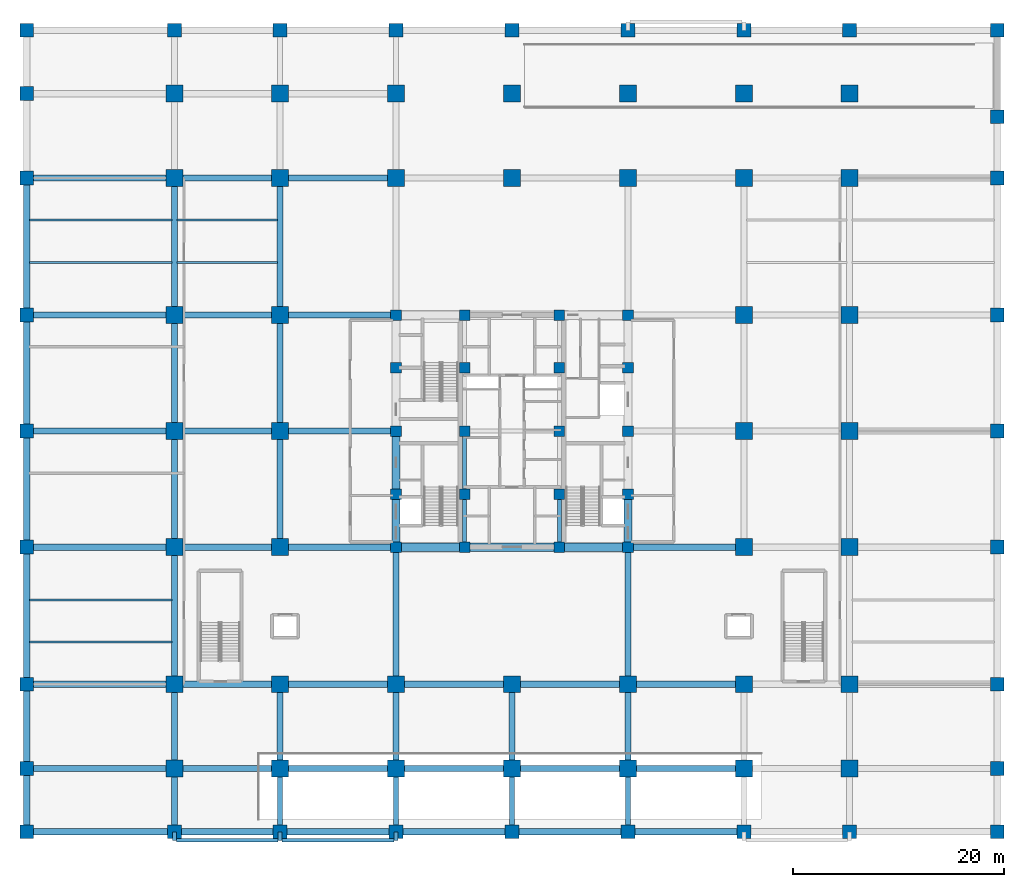
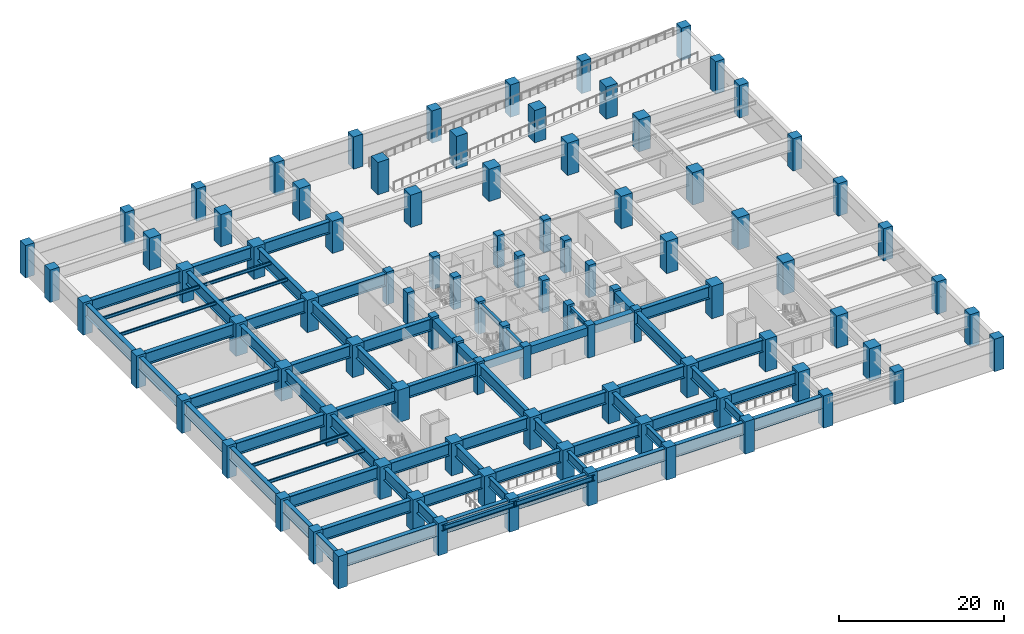
# One storey, part 1 of 13: 92 columns, 76 beams.
"""IFC4 building model written with IfcOpenShell, lengths in metres."""

from ifc_helpers import new_model, si_unit, direction, frame, origin, origin_2d, place, context, subcontext, project, spatial, rectangle, i_section, extrude, source, transform, mapped, material, material_profile, profile_set, type_object, element, save


model = new_model("IFC4")

# Units and contexts
model_context = context("Model", 3, precision=1e-05, world=origin(), true_north=direction((0.0, 1.0)))
body_context = subcontext(model_context, "Body", "Model", "MODEL_VIEW")
ifc_project = project(units=[si_unit("LENGTHUNIT", "METRE"), si_unit("AREAUNIT", "SQUARE_METRE"), si_unit("VOLUMEUNIT", "CUBIC_METRE"), si_unit("PLANEANGLEUNIT", "RADIAN"), si_unit("MASSUNIT", "GRAM", prefix="KILO")], contexts=[model_context])

# Site, building, storey
site_placement = place(None, origin())
site = spatial("IfcSite", under=ifc_project, at=site_placement, CompositionType="ELEMENT")
building_placement = place(site_placement, origin())
building = spatial("IfcBuilding", under=site, at=building_placement, Name="Khorayat Bourse Tower", CompositionType="ELEMENT")
storey_placement = place(building_placement, frame((0.0, 0.0, -4.800048828125)))
storey = spatial("IfcBuildingStorey", under=building, at=storey_placement, Name="B01", CompositionType="ELEMENT", Elevation=-4.800048828125)

# Columns
ifc_material_1 = material(Name="Concrete C72/90", Category="concrete")
ifc_material_profile_1 = material_profile(ifc_material_1, rectangle(XDim=1.300048828125, YDim=1.300048828125, at=origin_2d()), Name="RC 1300x1300")
ifc_profile_set_1 = profile_set([ifc_material_profile_1], Name="Concrete C72/90")
column_type_1 = type_object("IfcColumnType", Name="COL-MEGA-1300", PredefinedType="COLUMN", material=ifc_profile_set_1)
shared_shape_1 = source(origin(), body_context, "Body", "SweptSolid", [
    extrude(rectangle(XDim=1.300048828125, YDim=1.300048828125, at=origin_2d()), origin(), (0.0, 0.0, 1.0), 4.800048828125),
])
for number, where, z_axis, x_axis, name in (
    (1, (-46.0, -38.0, 0.0), (0.0, 0.0, 1.0), (1.0, 0.0, 0.0), "B01 Column 001"),
    (2, (-46.0, -24.0, 0.0), (0.0, 0.0, 1.0), (1.0, 0.0, 0.0), "B01 Column 002"),
    (3, (-46.0, -11.0, 0.0), (0.0, 0.0, 1.0), (1.0, 0.0, 0.0), "B01 Column 003"),
    (4, (-46.0, 0.0, 0.0), (0.0, 0.0, 1.0), (1.0, 0.0, 0.0), "B01 Column 004"),
    (5, (-46.0, 11.0, 0.0), (0.0, 0.0, 1.0), (1.0, 0.0, 0.0), "B01 Column 005"),
    (6, (-46.0, 24.0, 0.0), (0.0, 0.0, 1.0), (1.0, 0.0, 0.0), "B01 Column 006"),
    (7, (-46.0, 38.0, 0.0), (0.0, 0.0, 1.0), (1.0, 0.0, 0.0), "B01 Column 007"),
    (8, (-32.0, -38.0, 0.0), (0.0, 0.0, 1.0), (1.0, 0.0, 0.0), "B01 Column 008"),
    (9, (-32.0, 38.0, 0.0), (0.0, 0.0, 1.0), (1.0, 0.0, 0.0), "B01 Column 016"),
    (10, (-22.0, -38.0, 0.0), (0.0, 0.0, 1.0), (1.0, 0.0, 0.0), "B01 Column 017"),
    (11, (-22.0, 38.0, 0.0), (0.0, 0.0, 1.0), (1.0, 0.0, 0.0), "B01 Column 025"),
    (12, (-11.0, -38.0, 0.0), (0.0, 0.0, 1.0), (1.0, 0.0, 0.0), "B01 Column 026"),
    (13, (-11.0, 38.0, 0.0), (0.0, 0.0, 1.0), (1.0, 0.0, 0.0), "B01 Column 036"),
    (14, (0.0, -38.0, 0.0), (0.0, 0.0, 1.0), (1.0, 0.0, 0.0), "B01 Column 042"),
    (15, (0.0, 38.0, 0.0), (0.0, 0.0, 1.0), (1.0, 0.0, 0.0), "B01 Column 047"),
    (16, (11.0, -38.0, 0.0), (0.0, 0.0, 1.0), (1.0, 0.0, 0.0), "B01 Column 053"),
    (17, (11.0, 38.0, 0.0), (0.0, 0.0, 1.0), (1.0, 0.0, 0.0), "B01 Column 063"),
    (18, (22.0, -38.0, 0.0), (0.0, 0.0, 1.0), (1.0, 0.0, 0.0), "B01 Column 064"),
    (19, (22.0, 38.0, 0.0), (0.0, 0.0, 1.0), (1.0, 0.0, 0.0), "B01 Column 072"),
    (20, (32.0, -38.0, 0.0), (0.0, 0.0, 1.0), (1.0, 0.0, 0.0), "B01 Column 073"),
    (21, (32.0, 38.0, 0.0), (0.0, 0.0, 1.0), (1.0, 0.0, 0.0), "B01 Column 081"),
    (22, (46.0, -38.0, 0.0), (0.0, 0.0, 1.0), (1.0, 0.0, 0.0), "B01 Column 082"),
    (23, (46.0, -24.0, 0.0), (0.0, 0.0, 1.0), (1.0, 0.0, 0.0), "B01 Column 083"),
    (24, (46.0, -11.0, 0.0), (0.0, 0.0, 1.0), (1.0, 0.0, 0.0), "B01 Column 084"),
    (25, (46.0, 0.0, 0.0), (0.0, 0.0, 1.0), (1.0, 0.0, 0.0), "B01 Column 085"),
    (26, (46.0, 11.0, 0.0), (0.0, 0.0, 1.0), (1.0, 0.0, 0.0), "B01 Column 086"),
    (27, (46.0, 24.0, 0.0), (0.0, 0.0, 1.0), (1.0, 0.0, 0.0), "B01 Column 087"),
    (28, (46.0, 38.0, 0.0), (0.0, 0.0, 1.0), (1.0, 0.0, 0.0), "B01 Column 088"),
    (29, (-46.0, -32.0, 0.0), (0.0, 0.0, 1.0), (1.0, 0.0, 0.0), "B01 Perimeter Step Column 1"),
    (30, (-46.0, 32.0, 0.0), (0.0, 0.0, 1.0), (1.0, 0.0, 0.0), "B01 Perimeter Step Column 2"),
    (31, (46.0, -32.0, 0.0), (0.0, 0.0, 1.0), (1.0, 0.0, 0.0), "B01 Perimeter Step Column 3"),
    (32, (46.0, 29.800048828125, 0.0), (0.0, 0.0, 1.0), (1.0, 0.0, 0.0), "B01 Perimeter Step Column 4"),
):
    element("IfcColumn", number, at=place(storey_placement, frame(where, z_axis=z_axis, x_axis=x_axis)), inside=storey, type_object=column_type_1, Name=name, PredefinedType="COLUMN", context=body_context, shape_type="MappedRepresentation", body=[
        mapped(shared_shape_1, transform((0.0, 0.0, 0.0), scale=1.0)),
    ])
ifc_material_profile_2 = material_profile(ifc_material_1, rectangle(XDim=1.60009765625, YDim=1.60009765625, at=origin_2d()), Name="RC 1600x1600")
ifc_profile_set_2 = profile_set([ifc_material_profile_2], Name="Concrete C72/90")
column_type_2 = type_object("IfcColumnType", Name="COL-MEGA-1600", PredefinedType="COLUMN", material=ifc_profile_set_2)
shared_shape_2 = source(origin(), body_context, "Body", "SweptSolid", [
    extrude(rectangle(XDim=1.60009765625, YDim=1.60009765625, at=origin_2d()), origin(), (0.0, 0.0, 1.0), 4.800048828125),
])
for number, where, z_axis, x_axis, name in (
    (33, (-32.0, -32.0, 0.0), (0.0, 0.0, 1.0), (1.0, 0.0, 0.0), "B01 Column 009"),
    (34, (-32.0, -24.0, 0.0), (0.0, 0.0, 1.0), (1.0, 0.0, 0.0), "B01 Column 010"),
    (35, (-32.0, -11.0, 0.0), (0.0, 0.0, 1.0), (1.0, 0.0, 0.0), "B01 Column 011"),
    (36, (-32.0, 0.0, 0.0), (0.0, 0.0, 1.0), (1.0, 0.0, 0.0), "B01 Column 012"),
    (37, (-32.0, 11.0, 0.0), (0.0, 0.0, 1.0), (1.0, 0.0, 0.0), "B01 Column 013"),
    (38, (-32.0, 24.0, 0.0), (0.0, 0.0, 1.0), (1.0, 0.0, 0.0), "B01 Column 014"),
    (39, (-32.0, 32.0, 0.0), (0.0, 0.0, 1.0), (1.0, 0.0, 0.0), "B01 Column 015"),
    (40, (-22.0, -32.0, 0.0), (0.0, 0.0, 1.0), (1.0, 0.0, 0.0), "B01 Column 018"),
    (41, (-22.0, -24.0, 0.0), (0.0, 0.0, 1.0), (1.0, 0.0, 0.0), "B01 Column 019"),
    (42, (-22.0, -11.0, 0.0), (0.0, 0.0, 1.0), (1.0, 0.0, 0.0), "B01 Column 020"),
    (43, (-22.0, 0.0, 0.0), (0.0, 0.0, 1.0), (1.0, 0.0, 0.0), "B01 Column 021"),
    (44, (-22.0, 11.0, 0.0), (0.0, 0.0, 1.0), (1.0, 0.0, 0.0), "B01 Column 022"),
    (45, (-22.0, 24.0, 0.0), (0.0, 0.0, 1.0), (1.0, 0.0, 0.0), "B01 Column 023"),
    (46, (-22.0, 32.0, 0.0), (0.0, 0.0, 1.0), (1.0, 0.0, 0.0), "B01 Column 024"),
    (47, (-11.0, -32.0, 0.0), (0.0, 0.0, 1.0), (1.0, 0.0, 0.0), "B01 Column 027"),
    (48, (-11.0, -24.0, 0.0), (0.0, 0.0, 1.0), (1.0, 0.0, 0.0), "B01 Column 028"),
    (49, (-11.0, 24.0, 0.0), (0.0, 0.0, 1.0), (1.0, 0.0, 0.0), "B01 Column 034"),
    (50, (-11.0, 32.0, 0.0), (0.0, 0.0, 1.0), (1.0, 0.0, 0.0), "B01 Column 035"),
    (51, (0.0, -32.0, 0.0), (0.0, 0.0, 1.0), (1.0, 0.0, 0.0), "B01 Column 043"),
    (52, (0.0, -24.0, 0.0), (0.0, 0.0, 1.0), (1.0, 0.0, 0.0), "B01 Column 044"),
    (53, (0.0, 24.0, 0.0), (0.0, 0.0, 1.0), (1.0, 0.0, 0.0), "B01 Column 045"),
    (54, (0.0, 32.0, 0.0), (0.0, 0.0, 1.0), (1.0, 0.0, 0.0), "B01 Column 046"),
    (55, (11.0, -32.0, 0.0), (0.0, 0.0, 1.0), (1.0, 0.0, 0.0), "B01 Column 054"),
    (56, (11.0, -24.0, 0.0), (0.0, 0.0, 1.0), (1.0, 0.0, 0.0), "B01 Column 055"),
    (57, (11.0, 24.0, 0.0), (0.0, 0.0, 1.0), (1.0, 0.0, 0.0), "B01 Column 061"),
    (58, (11.0, 32.0, 0.0), (0.0, 0.0, 1.0), (1.0, 0.0, 0.0), "B01 Column 062"),
    (59, (22.0, -32.0, 0.0), (0.0, 0.0, 1.0), (1.0, 0.0, 0.0), "B01 Column 065"),
    (60, (22.0, -24.0, 0.0), (0.0, 0.0, 1.0), (1.0, 0.0, 0.0), "B01 Column 066"),
    (61, (22.0, -11.0, 0.0), (0.0, 0.0, 1.0), (1.0, 0.0, 0.0), "B01 Column 067"),
    (62, (22.0, 0.0, 0.0), (0.0, 0.0, 1.0), (1.0, 0.0, 0.0), "B01 Column 068"),
    (63, (22.0, 11.0, 0.0), (0.0, 0.0, 1.0), (1.0, 0.0, 0.0), "B01 Column 069"),
    (64, (22.0, 24.0, 0.0), (0.0, 0.0, 1.0), (1.0, 0.0, 0.0), "B01 Column 070"),
    (65, (22.0, 32.0, 0.0), (0.0, 0.0, 1.0), (1.0, 0.0, 0.0), "B01 Column 071"),
    (66, (32.0, -32.0, 0.0), (0.0, 0.0, 1.0), (1.0, 0.0, 0.0), "B01 Column 074"),
    (67, (32.0, -24.0, 0.0), (0.0, 0.0, 1.0), (1.0, 0.0, 0.0), "B01 Column 075"),
    (68, (32.0, -11.0, 0.0), (0.0, 0.0, 1.0), (1.0, 0.0, 0.0), "B01 Column 076"),
    (69, (32.0, 0.0, 0.0), (0.0, 0.0, 1.0), (1.0, 0.0, 0.0), "B01 Column 077"),
    (70, (32.0, 11.0, 0.0), (0.0, 0.0, 1.0), (1.0, 0.0, 0.0), "B01 Column 078"),
    (71, (32.0, 24.0, 0.0), (0.0, 0.0, 1.0), (1.0, 0.0, 0.0), "B01 Column 079"),
    (72, (32.0, 32.0, 0.0), (0.0, 0.0, 1.0), (1.0, 0.0, 0.0), "B01 Column 080"),
):
    element("IfcColumn", number, at=place(storey_placement, frame(where, z_axis=z_axis, x_axis=x_axis)), inside=storey, type_object=column_type_2, Name=name, PredefinedType="COLUMN", context=body_context, shape_type="MappedRepresentation", body=[
        mapped(shared_shape_2, transform((0.0, 0.0, 0.0), scale=1.0)),
    ])
ifc_material_profile_3 = material_profile(ifc_material_1, rectangle(XDim=1.0, YDim=1.0, at=origin_2d()), Name="RC 1000x1000")
ifc_profile_set_3 = profile_set([ifc_material_profile_3], Name="Concrete C72/90")
column_type_3 = type_object("IfcColumnType", Name="COL-CORE-1000", PredefinedType="COLUMN", material=ifc_profile_set_3)
shared_shape_3 = source(origin(), body_context, "Body", "SweptSolid", [
    extrude(rectangle(XDim=1.0, YDim=1.0, at=origin_2d()), origin(), (0.0, 0.0, 1.0), 4.800048828125),
])
for number, where, z_axis, x_axis, name in (
    (73, (-11.0, -11.0, 0.0), (0.0, 0.0, 1.0), (1.0, 0.0, 0.0), "B01 Column 029"),
    (74, (-11.0, -6.0, 0.0), (0.0, 0.0, 1.0), (1.0, 0.0, 0.0), "B01 Column 030"),
    (75, (-11.0, 0.0, 0.0), (0.0, 0.0, 1.0), (1.0, 0.0, 0.0), "B01 Column 031"),
    (76, (-11.0, 6.0, 0.0), (0.0, 0.0, 1.0), (1.0, 0.0, 0.0), "B01 Column 032"),
    (77, (-11.0, 11.0, 0.0), (0.0, 0.0, 1.0), (1.0, 0.0, 0.0), "B01 Column 033"),
    (78, (-4.5, -11.0, 0.0), (0.0, 0.0, 1.0), (1.0, 0.0, 0.0), "B01 Column 037"),
    (79, (-4.5, -6.0, 0.0), (0.0, 0.0, 1.0), (1.0, 0.0, 0.0), "B01 Column 038"),
    (80, (-4.5, 0.0, 0.0), (0.0, 0.0, 1.0), (1.0, 0.0, 0.0), "B01 Column 039"),
    (81, (-4.5, 6.0, 0.0), (0.0, 0.0, 1.0), (1.0, 0.0, 0.0), "B01 Column 040"),
    (82, (-4.5, 11.0, 0.0), (0.0, 0.0, 1.0), (1.0, 0.0, 0.0), "B01 Column 041"),
    (83, (4.5, -11.0, 0.0), (0.0, 0.0, 1.0), (1.0, 0.0, 0.0), "B01 Column 048"),
    (84, (4.5, -6.0, 0.0), (0.0, 0.0, 1.0), (1.0, 0.0, 0.0), "B01 Column 049"),
    (85, (4.5, 0.0, 0.0), (0.0, 0.0, 1.0), (1.0, 0.0, 0.0), "B01 Column 050"),
    (86, (4.5, 6.0, 0.0), (0.0, 0.0, 1.0), (1.0, 0.0, 0.0), "B01 Column 051"),
    (87, (4.5, 11.0, 0.0), (0.0, 0.0, 1.0), (1.0, 0.0, 0.0), "B01 Column 052"),
    (88, (11.0, -11.0, 0.0), (0.0, 0.0, 1.0), (1.0, 0.0, 0.0), "B01 Column 056"),
    (89, (11.0, -6.0, 0.0), (0.0, 0.0, 1.0), (1.0, 0.0, 0.0), "B01 Column 057"),
    (90, (11.0, 0.0, 0.0), (0.0, 0.0, 1.0), (1.0, 0.0, 0.0), "B01 Column 058"),
    (91, (11.0, 6.0, 0.0), (0.0, 0.0, 1.0), (1.0, 0.0, 0.0), "B01 Column 059"),
    (92, (11.0, 11.0, 0.0), (0.0, 0.0, 1.0), (1.0, 0.0, 0.0), "B01 Column 060"),
):
    element("IfcColumn", number, at=place(storey_placement, frame(where, z_axis=z_axis, x_axis=x_axis)), inside=storey, type_object=column_type_3, Name=name, PredefinedType="COLUMN", context=body_context, shape_type="MappedRepresentation", body=[
        mapped(shared_shape_3, transform((0.0, 0.0, 0.0), scale=1.0)),
    ])

# Beams
ifc_material_profile_4 = material_profile(ifc_material_1, rectangle(XDim=0.800048828125, YDim=1.199951171875, at=origin_2d()), Name="RC 800x1200")
ifc_profile_set_4 = profile_set([ifc_material_profile_4], Name="Concrete C72/90")
beam_type_1 = type_object("IfcBeamType", Name="BM-COUP-1200", PredefinedType="BEAM", material=ifc_profile_set_4)
shared_shape_4 = source(origin(), body_context, "Body", "SweptSolid", [
    extrude(rectangle(XDim=0.800048828125, YDim=1.199951171875, at=origin_2d()), origin(), (0.0, 0.0, 1.0), 5.0),
])
for number, where, z_axis, x_axis, name in (
    (93, (-11.0, -11.0, 3.880126953125), (0.0, 1.0, 0.0), (-1.0, 0.0, 0.0), "B01 BM-COUP-1200 BM-B01-CRX-01"),
    (94, (11.0, -11.0, 3.880126953125), (0.0, 1.0, 0.0), (-1.0, 0.0, 0.0), "B01 BM-COUP-1200 BM-B01-CRX-13"),
):
    element("IfcBeam", number, at=place(storey_placement, frame(where, z_axis=z_axis, x_axis=x_axis)), inside=storey, type_object=beam_type_1, Name=name, PredefinedType="BEAM", context=body_context, shape_type="MappedRepresentation", body=[
        mapped(shared_shape_4, transform((0.0, 0.0, 0.0), scale=1.0)),
    ])
shared_shape_5 = source(origin(), body_context, "Body", "SweptSolid", [
    extrude(rectangle(XDim=0.800048828125, YDim=1.199951171875, at=origin_2d()), origin(), (0.0, 0.0, 1.0), 6.0),
])
beam_1_placement = place(storey_placement, frame((-11.0, -6.0, 3.880126953125), z_axis=(0.0, 1.0, 0.0), x_axis=(-1.0, 0.0, 0.0)))
element("IfcBeam", 95, at=beam_1_placement, inside=storey, type_object=beam_type_1, Name="B01 BM-COUP-1200 BM-B01-CRX-02", PredefinedType="BEAM", context=body_context, shape_type="MappedRepresentation", body=[
    mapped(shared_shape_5, transform((0.0, 0.0, 0.0), scale=1.0)),
])
ifc_material_2 = material(Name="Steel ASTM A992 Grade 50", Category="steel")
ifc_material_profile_5 = material_profile(ifc_material_2, i_section(OverallWidth=0.35498046875, OverallDepth=0.695068359375, WebThickness=0.015380859375, FlangeThickness=0.02490234375, FilletRadius=0.01806640625, at=origin_2d()), Name="W690X217")
ifc_profile_set_5 = profile_set([ifc_material_profile_5], Name="Steel ASTM A992 Grade 50")
beam_type_2 = type_object("IfcBeamType", Name="BM-GIRD-690", PredefinedType="BEAM", material=ifc_profile_set_5)
shared_shape_6 = source(origin(), body_context, "Body", "SweptSolid", [
    extrude(i_section(OverallWidth=0.35498046875, OverallDepth=0.695068359375, WebThickness=0.015380859375, FlangeThickness=0.02490234375, FilletRadius=0.01806640625, at=origin_2d()), origin(), (0.0, 0.0, 1.0), 5.0),
])
for number, where, z_axis, x_axis, name in (
    (96, (-4.5, -11.0, 4.132568359375), (0.0, 1.0, 0.0), (-1.0, 0.0, 0.0), "B01 BM-GIRD-690 BM-B01-CRX-05"),
    (97, (4.5, -11.0, 4.132568359375), (0.0, 1.0, 0.0), (-1.0, 0.0, 0.0), "B01 BM-GIRD-690 BM-B01-CRX-09"),
):
    element("IfcBeam", number, at=place(storey_placement, frame(where, z_axis=z_axis, x_axis=x_axis)), inside=storey, type_object=beam_type_2, Name=name, PredefinedType="BEAM", context=body_context, shape_type="MappedRepresentation", body=[
        mapped(shared_shape_6, transform((0.0, 0.0, 0.0), scale=1.0)),
    ])
shared_shape_7 = source(origin(), body_context, "Body", "SweptSolid", [
    extrude(i_section(OverallWidth=0.35498046875, OverallDepth=0.695068359375, WebThickness=0.015380859375, FlangeThickness=0.02490234375, FilletRadius=0.01806640625, at=origin_2d()), origin(), (0.0, 0.0, 1.0), 6.0),
])
beam_2_placement = place(storey_placement, frame((-4.5, -6.0, 4.132568359375), z_axis=(0.0, 1.0, 0.0), x_axis=(-1.0, 0.0, 0.0)))
element("IfcBeam", 98, at=beam_2_placement, inside=storey, type_object=beam_type_2, Name="B01 BM-GIRD-690 BM-B01-CRX-06", PredefinedType="BEAM", context=body_context, shape_type="MappedRepresentation", body=[
    mapped(shared_shape_7, transform((0.0, 0.0, 0.0), scale=1.0)),
])
shared_shape_8 = source(origin(), body_context, "Body", "SweptSolid", [
    extrude(rectangle(XDim=0.800048828125, YDim=1.199951171875, at=origin_2d()), origin(), (0.0, 0.0, 1.0), 6.5),
])
for number, where, z_axis, x_axis, name in (
    (99, (-11.0, -11.0, 3.880126953125), (1.0, 0.0, 0.0), (0.0, 1.0, 0.0), "B01 BM-COUP-1200 BM-B01-CRY-17"),
    (100, (4.5, -11.0, 3.880126953125), (1.0, 0.0, 0.0), (0.0, 1.0, 0.0), "B01 BM-COUP-1200 BM-B01-CRY-19"),
):
    element("IfcBeam", number, at=place(storey_placement, frame(where, z_axis=z_axis, x_axis=x_axis)), inside=storey, type_object=beam_type_1, Name=name, PredefinedType="BEAM", context=body_context, shape_type="MappedRepresentation", body=[
        mapped(shared_shape_8, transform((0.0, 0.0, 0.0), scale=1.0)),
    ])
shared_shape_9 = source(origin(), body_context, "Body", "SweptSolid", [
    extrude(rectangle(XDim=0.800048828125, YDim=1.199951171875, at=origin_2d()), origin(), (0.0, 0.0, 1.0), 9.0),
])
beam_3_placement = place(storey_placement, frame((-4.5, -11.0, 3.880126953125), z_axis=(1.0, 0.0, 0.0), x_axis=(0.0, 1.0, 0.0)))
element("IfcBeam", 101, at=beam_3_placement, inside=storey, type_object=beam_type_1, Name="B01 BM-COUP-1200 BM-B01-CRY-18", PredefinedType="BEAM", context=body_context, shape_type="MappedRepresentation", body=[
    mapped(shared_shape_9, transform((0.0, 0.0, 0.0), scale=1.0)),
])
ifc_material_3 = material(Name="Steel EN 10025-4 S460M", Category="steel")
ifc_material_profile_6 = material_profile(ifc_material_3, i_section(OverallWidth=0.60009765625, OverallDepth=1.800048828125, WebThickness=0.031982421875, FlangeThickness=0.06005859375, at=origin_2d()), Name="PG 1800x600x32x60")
ifc_profile_set_6 = profile_set([ifc_material_profile_6], Name="Steel EN 10025-4 S460M")
beam_type_3 = type_object("IfcBeamType", Name="BM-TR-1800", PredefinedType="BEAM", material=ifc_profile_set_6)
shared_shape_10 = source(origin(), body_context, "Body", "SweptSolid", [
    extrude(i_section(OverallWidth=0.60009765625, OverallDepth=1.800048828125, WebThickness=0.031982421875, FlangeThickness=0.06005859375, at=origin_2d()), origin(), (0.0, 0.0, 1.0), 14.0),
])
for number, where, z_axis, x_axis, name in (
    (102, (-46.0, -38.0, 3.580078125), (1.0, 0.0, 0.0), (0.0, 1.0, 0.0), "B01 BM-TR-1800 BM-B01-PGX-024"),
    (103, (-46.0, -32.0, 3.580078125), (1.0, 0.0, 0.0), (0.0, 1.0, 0.0), "B01 BM-TR-1800 BM-B01-PGX-032"),
    (104, (-46.0, -24.0, 3.580078125), (1.0, 0.0, 0.0), (0.0, 1.0, 0.0), "B01 BM-TR-1800 BM-B01-PGX-040"),
    (105, (-46.0, -11.0, 3.580078125), (1.0, 0.0, 0.0), (0.0, 1.0, 0.0), "B01 BM-TR-1800 BM-B01-PGX-048"),
    (106, (-46.0, 0.0, 3.580078125), (1.0, 0.0, 0.0), (0.0, 1.0, 0.0), "B01 BM-TR-1800 BM-B01-PGX-057"),
    (107, (-46.0, 11.0, 3.580078125), (1.0, 0.0, 0.0), (0.0, 1.0, 0.0), "B01 BM-TR-1800 BM-B01-PGX-063"),
    (108, (-46.0, 24.0, 3.580078125), (1.0, 0.0, 0.0), (0.0, 1.0, 0.0), "B01 BM-TR-1800 BM-B01-PGX-072"),
):
    element("IfcBeam", number, at=place(storey_placement, frame(where, z_axis=z_axis, x_axis=x_axis)), inside=storey, type_object=beam_type_3, Name=name, PredefinedType="BEAM", context=body_context, shape_type="MappedRepresentation", body=[
        mapped(shared_shape_10, transform((0.0, 0.0, 0.0), scale=1.0)),
    ])
shared_shape_11 = source(origin(), body_context, "Body", "SweptSolid", [
    extrude(i_section(OverallWidth=0.60009765625, OverallDepth=1.800048828125, WebThickness=0.031982421875, FlangeThickness=0.06005859375, at=origin_2d()), origin(), (0.0, 0.0, 1.0), 10.0),
])
for number, where, z_axis, x_axis, name in (
    (109, (-32.0, -38.0, 3.580078125), (1.0, 0.0, 0.0), (0.0, 1.0, 0.0), "B01 BM-TR-1800 BM-B01-PGX-025"),
    (110, (-32.0, -32.0, 3.580078125), (1.0, 0.0, 0.0), (0.0, 1.0, 0.0), "B01 BM-TR-1800 BM-B01-PGX-033"),
    (111, (-32.0, -24.0, 3.580078125), (1.0, 0.0, 0.0), (0.0, 1.0, 0.0), "B01 BM-TR-1800 BM-B01-PGX-041"),
    (112, (-32.0, -11.0, 3.580078125), (1.0, 0.0, 0.0), (0.0, 1.0, 0.0), "B01 BM-TR-1800 BM-B01-PGX-049"),
    (113, (-32.0, 0.0, 3.580078125), (1.0, 0.0, 0.0), (0.0, 1.0, 0.0), "B01 BM-TR-1800 BM-B01-PGX-058"),
    (114, (-32.0, 11.0, 3.580078125), (1.0, 0.0, 0.0), (0.0, 1.0, 0.0), "B01 BM-TR-1800 BM-B01-PGX-064"),
    (115, (-32.0, 24.0, 3.580078125), (1.0, 0.0, 0.0), (0.0, 1.0, 0.0), "B01 BM-TR-1800 BM-B01-PGX-073"),
):
    element("IfcBeam", number, at=place(storey_placement, frame(where, z_axis=z_axis, x_axis=x_axis)), inside=storey, type_object=beam_type_3, Name=name, PredefinedType="BEAM", context=body_context, shape_type="MappedRepresentation", body=[
        mapped(shared_shape_11, transform((0.0, 0.0, 0.0), scale=1.0)),
    ])
shared_shape_12 = source(origin(), body_context, "Body", "SweptSolid", [
    extrude(i_section(OverallWidth=0.60009765625, OverallDepth=1.800048828125, WebThickness=0.031982421875, FlangeThickness=0.06005859375, at=origin_2d()), origin(), (0.0, 0.0, 1.0), 11.0),
])
for number, where, z_axis, x_axis, name in (
    (116, (-22.0, -38.0, 3.580078125), (1.0, 0.0, 0.0), (0.0, 1.0, 0.0), "B01 BM-TR-1800 BM-B01-PGX-026"),
    (117, (-11.0, -38.0, 3.580078125), (1.0, 0.0, 0.0), (0.0, 1.0, 0.0), "B01 BM-TR-1800 BM-B01-PGX-027"),
    (118, (0.0, -38.0, 3.580078125), (1.0, 0.0, 0.0), (0.0, 1.0, 0.0), "B01 BM-TR-1800 BM-B01-PGX-028"),
    (119, (11.0, -38.0, 3.580078125), (1.0, 0.0, 0.0), (0.0, 1.0, 0.0), "B01 BM-TR-1800 BM-B01-PGX-029"),
    (120, (-22.0, -32.0, 3.580078125), (1.0, 0.0, 0.0), (0.0, 1.0, 0.0), "B01 BM-TR-1800 BM-B01-PGX-034"),
    (121, (-11.0, -32.0, 3.580078125), (1.0, 0.0, 0.0), (0.0, 1.0, 0.0), "B01 BM-TR-1800 BM-B01-PGX-035"),
    (122, (0.0, -32.0, 3.580078125), (1.0, 0.0, 0.0), (0.0, 1.0, 0.0), "B01 BM-TR-1800 BM-B01-PGX-036"),
    (123, (11.0, -32.0, 3.580078125), (1.0, 0.0, 0.0), (0.0, 1.0, 0.0), "B01 BM-TR-1800 BM-B01-PGX-037"),
    (124, (-22.0, -24.0, 3.580078125), (1.0, 0.0, 0.0), (0.0, 1.0, 0.0), "B01 BM-TR-1800 BM-B01-PGX-042"),
    (125, (-11.0, -24.0, 3.580078125), (1.0, 0.0, 0.0), (0.0, 1.0, 0.0), "B01 BM-TR-1800 BM-B01-PGX-043"),
    (126, (0.0, -24.0, 3.580078125), (1.0, 0.0, 0.0), (0.0, 1.0, 0.0), "B01 BM-TR-1800 BM-B01-PGX-044"),
    (127, (11.0, -24.0, 3.580078125), (1.0, 0.0, 0.0), (0.0, 1.0, 0.0), "B01 BM-TR-1800 BM-B01-PGX-045"),
    (128, (-22.0, -11.0, 3.580078125), (1.0, 0.0, 0.0), (0.0, 1.0, 0.0), "B01 BM-TR-1800 BM-B01-PGX-050"),
    (129, (11.0, -11.0, 3.580078125), (1.0, 0.0, 0.0), (0.0, 1.0, 0.0), "B01 BM-TR-1800 BM-B01-PGX-054"),
    (130, (-22.0, 0.0, 3.580078125), (1.0, 0.0, 0.0), (0.0, 1.0, 0.0), "B01 BM-TR-1800 BM-B01-PGX-059"),
    (131, (-22.0, 11.0, 3.580078125), (1.0, 0.0, 0.0), (0.0, 1.0, 0.0), "B01 BM-TR-1800 BM-B01-PGX-065"),
    (132, (-22.0, 24.0, 3.580078125), (1.0, 0.0, 0.0), (0.0, 1.0, 0.0), "B01 BM-TR-1800 BM-B01-PGX-074"),
    (133, (-46.0, -11.0, 3.580078125), (0.0, 1.0, 0.0), (-1.0, 0.0, 0.0), "B01 BM-TR-1800 BM-B01-PGY-094"),
    (134, (-46.0, 0.0, 3.580078125), (0.0, 1.0, 0.0), (-1.0, 0.0, 0.0), "B01 BM-TR-1800 BM-B01-PGY-095"),
    (135, (-32.0, -11.0, 3.580078125), (0.0, 1.0, 0.0), (-1.0, 0.0, 0.0), "B01 BM-TR-1800 BM-B01-PGY-102"),
    (136, (-32.0, 0.0, 3.580078125), (0.0, 1.0, 0.0), (-1.0, 0.0, 0.0), "B01 BM-TR-1800 BM-B01-PGY-103"),
    (137, (-22.0, -11.0, 3.580078125), (0.0, 1.0, 0.0), (-1.0, 0.0, 0.0), "B01 BM-TR-1800 BM-B01-PGY-109"),
    (138, (-22.0, 0.0, 3.580078125), (0.0, 1.0, 0.0), (-1.0, 0.0, 0.0), "B01 BM-TR-1800 BM-B01-PGY-110"),
):
    element("IfcBeam", number, at=place(storey_placement, frame(where, z_axis=z_axis, x_axis=x_axis)), inside=storey, type_object=beam_type_3, Name=name, PredefinedType="BEAM", context=body_context, shape_type="MappedRepresentation", body=[
        mapped(shared_shape_12, transform((0.0, 0.0, 0.0), scale=1.0)),
    ])
shared_shape_13 = source(origin(), body_context, "Body", "SweptSolid", [
    extrude(i_section(OverallWidth=0.60009765625, OverallDepth=1.800048828125, WebThickness=0.031982421875, FlangeThickness=0.06005859375, at=origin_2d()), origin(), (0.0, 0.0, 1.0), 6.0),
])
for number, where, z_axis, x_axis, name in (
    (139, (-46.0, -38.0, 3.580078125), (0.0, 1.0, 0.0), (-1.0, 0.0, 0.0), "B01 BM-TR-1800 BM-B01-PGY-091"),
    (140, (-32.0, -38.0, 3.580078125), (0.0, 1.0, 0.0), (-1.0, 0.0, 0.0), "B01 BM-TR-1800 BM-B01-PGY-099"),
):
    element("IfcBeam", number, at=place(storey_placement, frame(where, z_axis=z_axis, x_axis=x_axis)), inside=storey, type_object=beam_type_3, Name=name, PredefinedType="BEAM", context=body_context, shape_type="MappedRepresentation", body=[
        mapped(shared_shape_13, transform((0.0, 0.0, 0.0), scale=1.0)),
    ])
shared_shape_14 = source(origin(), body_context, "Body", "SweptSolid", [
    extrude(i_section(OverallWidth=0.60009765625, OverallDepth=1.800048828125, WebThickness=0.031982421875, FlangeThickness=0.06005859375, at=origin_2d()), origin(), (0.0, 0.0, 1.0), 8.0),
])
for number, where, z_axis, x_axis, name in (
    (141, (-46.0, -32.0, 3.580078125), (0.0, 1.0, 0.0), (-1.0, 0.0, 0.0), "B01 BM-TR-1800 BM-B01-PGY-092"),
    (142, (-32.0, -32.0, 3.580078125), (0.0, 1.0, 0.0), (-1.0, 0.0, 0.0), "B01 BM-TR-1800 BM-B01-PGY-100"),
    (143, (-22.0, -32.0, 3.580078125), (0.0, 1.0, 0.0), (-1.0, 0.0, 0.0), "B01 BM-TR-1800 BM-B01-PGY-108"),
    (144, (-11.0, -32.0, 3.580078125), (0.0, 1.0, 0.0), (-1.0, 0.0, 0.0), "B01 BM-TR-1800 BM-B01-PGY-115"),
    (145, (0.0, -32.0, 3.580078125), (0.0, 1.0, 0.0), (-1.0, 0.0, 0.0), "B01 BM-TR-1800 BM-B01-PGY-124"),
    (146, (11.0, -32.0, 3.580078125), (0.0, 1.0, 0.0), (-1.0, 0.0, 0.0), "B01 BM-TR-1800 BM-B01-PGY-126"),
):
    element("IfcBeam", number, at=place(storey_placement, frame(where, z_axis=z_axis, x_axis=x_axis)), inside=storey, type_object=beam_type_3, Name=name, PredefinedType="BEAM", context=body_context, shape_type="MappedRepresentation", body=[
        mapped(shared_shape_14, transform((0.0, 0.0, 0.0), scale=1.0)),
    ])
shared_shape_15 = source(origin(), body_context, "Body", "SweptSolid", [
    extrude(i_section(OverallWidth=0.60009765625, OverallDepth=1.800048828125, WebThickness=0.031982421875, FlangeThickness=0.06005859375, at=origin_2d()), origin(), (0.0, 0.0, 1.0), 13.0),
])
for number, where, z_axis, x_axis, name in (
    (147, (-46.0, -24.0, 3.580078125), (0.0, 1.0, 0.0), (-1.0, 0.0, 0.0), "B01 BM-TR-1800 BM-B01-PGY-093"),
    (148, (-46.0, 11.0, 3.580078125), (0.0, 1.0, 0.0), (-1.0, 0.0, 0.0), "B01 BM-TR-1800 BM-B01-PGY-096"),
    (149, (-32.0, -24.0, 3.580078125), (0.0, 1.0, 0.0), (-1.0, 0.0, 0.0), "B01 BM-TR-1800 BM-B01-PGY-101"),
    (150, (-32.0, 11.0, 3.580078125), (0.0, 1.0, 0.0), (-1.0, 0.0, 0.0), "B01 BM-TR-1800 BM-B01-PGY-104"),
    (151, (-22.0, 11.0, 3.580078125), (0.0, 1.0, 0.0), (-1.0, 0.0, 0.0), "B01 BM-TR-1800 BM-B01-PGY-111"),
    (152, (-11.0, -24.0, 3.580078125), (0.0, 1.0, 0.0), (-1.0, 0.0, 0.0), "B01 BM-TR-1800 BM-B01-PGY-116"),
    (153, (11.0, -24.0, 3.580078125), (0.0, 1.0, 0.0), (-1.0, 0.0, 0.0), "B01 BM-TR-1800 BM-B01-PGY-127"),
):
    element("IfcBeam", number, at=place(storey_placement, frame(where, z_axis=z_axis, x_axis=x_axis)), inside=storey, type_object=beam_type_3, Name=name, PredefinedType="BEAM", context=body_context, shape_type="MappedRepresentation", body=[
        mapped(shared_shape_15, transform((0.0, 0.0, 0.0), scale=1.0)),
    ])
ifc_material_profile_7 = material_profile(ifc_material_3, i_section(OverallWidth=0.5, OverallDepth=1.39990234375, WebThickness=0.02490234375, FlangeThickness=0.050048828125, at=origin_2d()), Name="PG 1400x500x25x50")
ifc_profile_set_7 = profile_set([ifc_material_profile_7], Name="Steel EN 10025-4 S460M")
beam_type_4 = type_object("IfcBeamType", Name="BM-TR-1400", PredefinedType="BEAM", material=ifc_profile_set_7)
shared_shape_16 = source(origin(), body_context, "Body", "SweptSolid", [
    extrude(i_section(OverallWidth=0.5, OverallDepth=1.39990234375, WebThickness=0.02490234375, FlangeThickness=0.050048828125, at=origin_2d()), origin(), (0.0, 0.0, 1.0), 6.0),
])
for number, where, z_axis, x_axis, name in (
    (154, (-22.0, -38.0, 3.780029296875), (0.0, 1.0, 0.0), (-1.0, 0.0, 0.0), "B01 BM-TR-1400 BM-B01-PGY-107"),
    (155, (-11.0, -38.0, 3.780029296875), (0.0, 1.0, 0.0), (-1.0, 0.0, 0.0), "B01 BM-TR-1400 BM-B01-PGY-114"),
    (156, (0.0, -38.0, 3.780029296875), (0.0, 1.0, 0.0), (-1.0, 0.0, 0.0), "B01 BM-TR-1400 BM-B01-PGY-123"),
    (157, (11.0, -38.0, 3.780029296875), (0.0, 1.0, 0.0), (-1.0, 0.0, 0.0), "B01 BM-TR-1400 BM-B01-PGY-125"),
):
    element("IfcBeam", number, at=place(storey_placement, frame(where, z_axis=z_axis, x_axis=x_axis)), inside=storey, type_object=beam_type_4, Name=name, PredefinedType="BEAM", context=body_context, shape_type="MappedRepresentation", body=[
        mapped(shared_shape_16, transform((0.0, 0.0, 0.0), scale=1.0)),
    ])
ifc_material_profile_8 = material_profile(ifc_material_2, i_section(OverallWidth=0.194091796875, OverallDepth=0.468994140625, WebThickness=0.0126953125, FlangeThickness=0.0205078125, FilletRadius=0.012939453125, at=origin_2d()), Name="W460X106")
ifc_profile_set_8 = profile_set([ifc_material_profile_8], Name="Steel ASTM A992 Grade 50")
beam_type_5 = type_object("IfcBeamType", Name="BM-JOIST-460", PredefinedType="JOIST", material=ifc_profile_set_8)
shared_shape_17 = source(origin(), body_context, "Body", "SweptSolid", [
    extrude(i_section(OverallWidth=0.194091796875, OverallDepth=0.468994140625, WebThickness=0.0126953125, FlangeThickness=0.0205078125, FilletRadius=0.012939453125, at=origin_2d()), origin(), (0.0, 0.0, 1.0), 13.52001953125),
])
for number, where, z_axis, x_axis, name in (
    (158, (-45.760009765625, -20.0, 4.24560546875), (1.0, 0.0, 0.0), (0.0, 1.0, 0.0), "B01 BM-JOIST-460 BM-B01-PJ-149"),
    (159, (-45.760009765625, -16.0, 4.24560546875), (1.0, 0.0, 0.0), (0.0, 1.0, 0.0), "B01 BM-JOIST-460 BM-B01-PJ-151"),
    (160, (-45.760009765625, 16.0, 4.24560546875), (1.0, 0.0, 0.0), (0.0, 1.0, 0.0), "B01 BM-JOIST-460 BM-B01-PJ-153"),
    (161, (-45.760009765625, 20.0, 4.24560546875), (1.0, 0.0, 0.0), (0.0, 1.0, 0.0), "B01 BM-JOIST-460 BM-B01-PJ-157"),
):
    element("IfcBeam", number, at=place(storey_placement, frame(where, z_axis=z_axis, x_axis=x_axis)), inside=storey, type_object=beam_type_5, Name=name, PredefinedType="JOIST", context=body_context, shape_type="MappedRepresentation", body=[
        mapped(shared_shape_17, transform((0.0, 0.0, 0.0), scale=1.0)),
    ])
shared_shape_18 = source(origin(), body_context, "Body", "SweptSolid", [
    extrude(i_section(OverallWidth=0.194091796875, OverallDepth=0.468994140625, WebThickness=0.0126953125, FlangeThickness=0.0205078125, FilletRadius=0.012939453125, at=origin_2d()), origin(), (0.0, 0.0, 1.0), 9.52001953125),
])
for number, where, z_axis, x_axis, name in (
    (162, (-31.760009765625, 16.0, 4.24560546875), (1.0, 0.0, 0.0), (0.0, 1.0, 0.0), "B01 BM-JOIST-460 BM-B01-PJ-154"),
    (163, (-31.760009765625, 20.0, 4.24560546875), (1.0, 0.0, 0.0), (0.0, 1.0, 0.0), "B01 BM-JOIST-460 BM-B01-PJ-158"),
):
    element("IfcBeam", number, at=place(storey_placement, frame(where, z_axis=z_axis, x_axis=x_axis)), inside=storey, type_object=beam_type_5, Name=name, PredefinedType="JOIST", context=body_context, shape_type="MappedRepresentation", body=[
        mapped(shared_shape_18, transform((0.0, 0.0, 0.0), scale=1.0)),
    ])
ifc_material_profile_9 = material_profile(ifc_material_2, i_section(OverallWidth=0.39990234375, OverallDepth=0.85498046875, WebThickness=0.018310546875, FlangeThickness=0.029296875, FilletRadius=0.02001953125, at=origin_2d()), Name="W840X299")
ifc_profile_set_9 = profile_set([ifc_material_profile_9], Name="Steel ASTM A992 Grade 50")
beam_type_6 = type_object("IfcBeamType", Name="BM-GIRD-840", PredefinedType="BEAM", material=ifc_profile_set_9)
shared_shape_19 = source(origin(), body_context, "Body", "SweptSolid", [
    extrude(i_section(OverallWidth=0.39990234375, OverallDepth=0.85498046875, WebThickness=0.018310546875, FlangeThickness=0.029296875, FilletRadius=0.02001953125, at=origin_2d()), origin(), (0.0, 0.0, 1.0), 0.800048828125),
])
for number, where, z_axis, x_axis, name in (
    (164, (-22.0, -38.800048828125, 4.012451171875), (0.0, 1.0, 0.0), (-1.0, 0.0, 0.0), "B01 BM-GIRD-840 BM-B01-RBRK-1-1"),
    (165, (-11.0, -38.800048828125, 4.012451171875), (0.0, 1.0, 0.0), (-1.0, 0.0, 0.0), "B01 BM-GIRD-840 BM-B01-RBRK-1-2"),
    (166, (-32.0, -38.800048828125, 4.012451171875), (0.0, 1.0, 0.0), (-1.0, 0.0, 0.0), "B01 BM-GIRD-840 BM-B01-RBRK-2-1"),
):
    element("IfcBeam", number, at=place(storey_placement, frame(where, z_axis=z_axis, x_axis=x_axis)), inside=storey, type_object=beam_type_6, Name=name, PredefinedType="BEAM", context=body_context, shape_type="MappedRepresentation", body=[
        mapped(shared_shape_19, transform((0.0, 0.0, 0.0), scale=1.0)),
    ])
shared_shape_20 = source(origin(), body_context, "Body", "SweptSolid", [
    extrude(i_section(OverallWidth=0.35498046875, OverallDepth=0.695068359375, WebThickness=0.015380859375, FlangeThickness=0.02490234375, FilletRadius=0.01806640625, at=origin_2d()), origin(), (0.0, 0.0, 1.0), 10.60009765625),
])
beam_4_placement = place(storey_placement, frame((-21.800048828125, -38.800048828125, 4.092529296875), z_axis=(1.0, 0.0, 0.0), x_axis=(0.0, 1.0, 0.0)))
element("IfcBeam", 167, at=beam_4_placement, inside=storey, type_object=beam_type_2, Name="B01 BM-GIRD-690 BM-B01-RSLP-1", PredefinedType="BEAM", context=body_context, shape_type="MappedRepresentation", body=[
    mapped(shared_shape_20, transform((0.0, 0.0, 0.0), scale=1.0)),
])
shared_shape_21 = source(origin(), body_context, "Body", "SweptSolid", [
    extrude(i_section(OverallWidth=0.35498046875, OverallDepth=0.695068359375, WebThickness=0.015380859375, FlangeThickness=0.02490234375, FilletRadius=0.01806640625, at=origin_2d()), origin(), (0.0, 0.0, 1.0), 9.60009765625),
])
beam_5_placement = place(storey_placement, frame((-31.800048828125, -38.800048828125, 4.092529296875), z_axis=(1.0, 0.0, 0.0), x_axis=(0.0, 1.0, 0.0)))
element("IfcBeam", 168, at=beam_5_placement, inside=storey, type_object=beam_type_2, Name="B01 BM-GIRD-690 BM-B01-RSLP-2", PredefinedType="BEAM", context=body_context, shape_type="MappedRepresentation", body=[
    mapped(shared_shape_21, transform((0.0, 0.0, 0.0), scale=1.0)),
])

save(model, "model.ifc")
